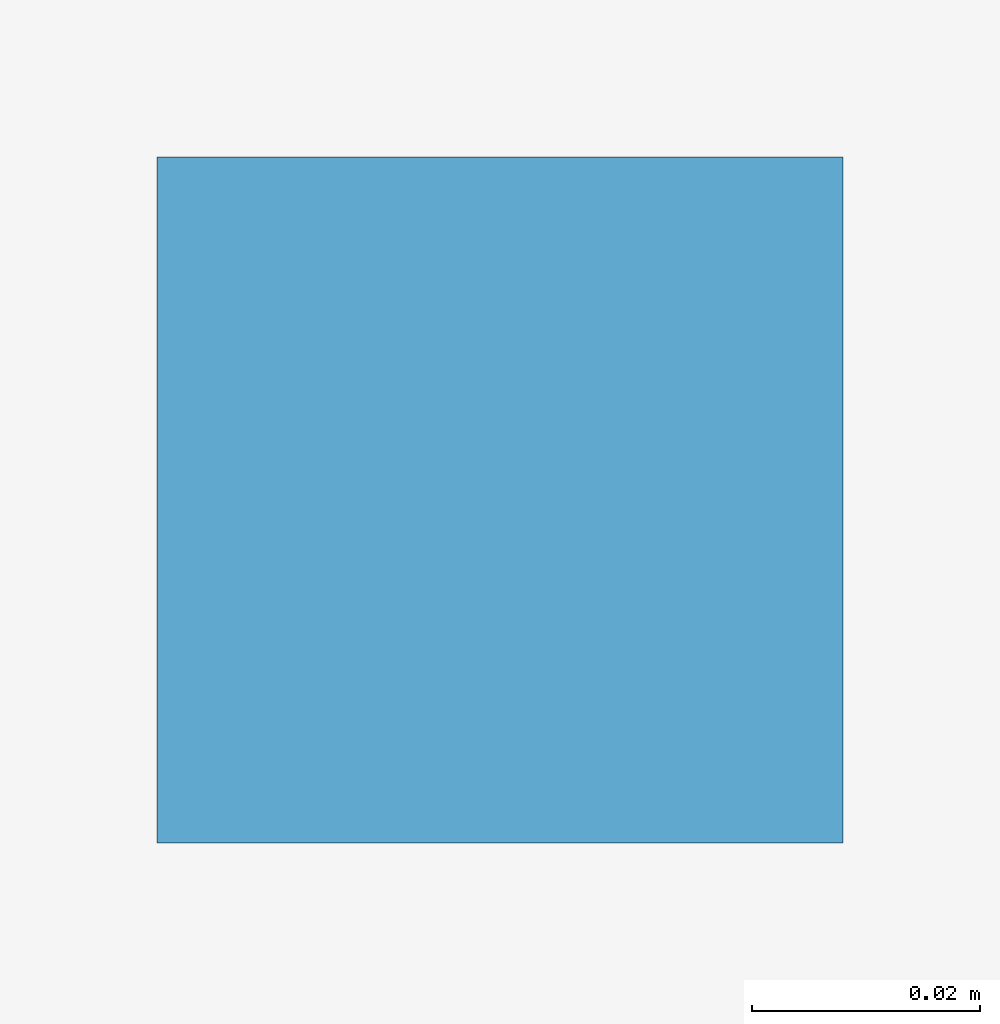
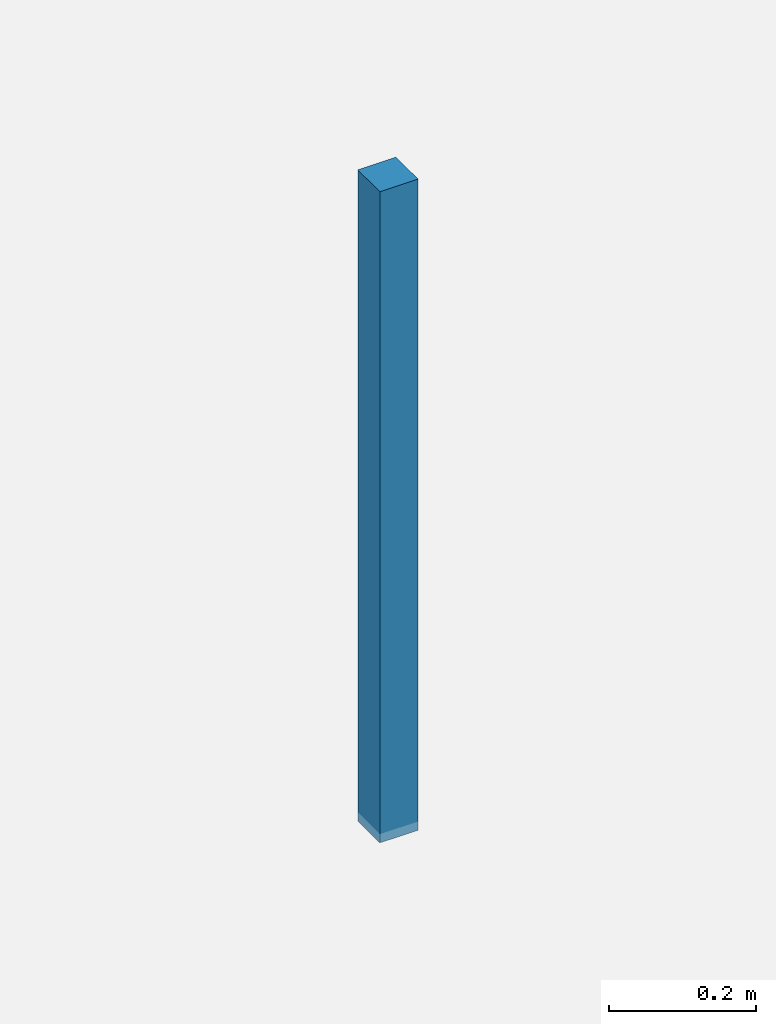
# One storey, part 97 of 108: 1 discrete accessory.
"""IFC4 building model written with IfcOpenShell, lengths in metres."""

from ifc_helpers import new_model, si_unit, direction, frame, origin, origin_2d, place, context, subcontext, project, spatial, rectangle, extrude, material, type_object, element, save


model = new_model("IFC4")

# Units and contexts
model_context = context("Model", 3, precision=1e-05, world=origin(), true_north=direction((0.0, 1.0)))
body_context = subcontext(model_context, "Body", "Model", "MODEL_VIEW")
ifc_project = project(units=[si_unit("LENGTHUNIT", "METRE"), si_unit("AREAUNIT", "SQUARE_METRE"), si_unit("VOLUMEUNIT", "CUBIC_METRE"), si_unit("PLANEANGLEUNIT", "RADIAN"), si_unit("MASSUNIT", "GRAM", prefix="KILO")], contexts=[model_context])

# Site, building, storey
site_placement = place(None, origin())
site = spatial("IfcSite", under=ifc_project, at=site_placement, CompositionType="ELEMENT")
building_placement = place(site_placement, origin())
building = spatial("IfcBuilding", under=site, at=building_placement, Name="Kangsadwip Square Police Headquarters", CompositionType="ELEMENT")
storey_placement = place(building_placement, frame((0.0, 0.0, 9.449951171875)))
storey = spatial("IfcBuildingStorey", under=building, at=storey_placement, Name="L02", CompositionType="ELEMENT", Elevation=9.449951171875)

# Discrete accessory
ifc_material = material(Name="Structural steel IS 2062 E350 (Grade 350, 350 MPa)", Category="steel")
discrete_accessory_type = type_object("IfcDiscreteAccessoryType", Name="VeilOutriggerBracket", PredefinedType="BRACKET", material=ifc_material)
discrete_accessory_placement = place(storey_placement, frame((126.0, 104.39990234375, 2.81005859375), z_axis=(0.0, 0.0, 1.0), x_axis=(1.0, 0.0, 0.0)))
element("IfcDiscreteAccessory", 1, at=discrete_accessory_placement, inside=storey, type_object=discrete_accessory_type, Name="Ceiling Suspension Hanger L02-068", PredefinedType="BRACKET", context=body_context, shape_type="SweptSolid", body=[
    extrude(rectangle(XDim=0.06005859375, YDim=0.06005859375, at=origin_2d()), origin(), (0.0, 0.0, 1.0), 1.080078125),
])

save(model, "model.ifc")
